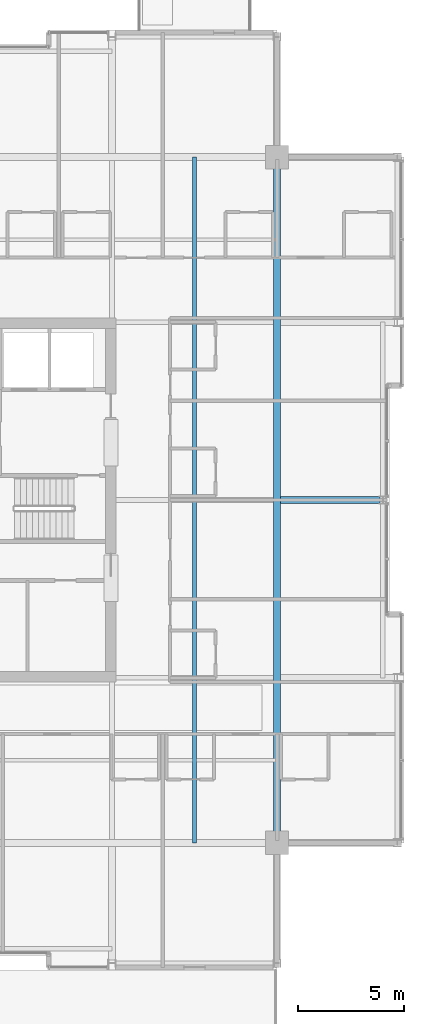
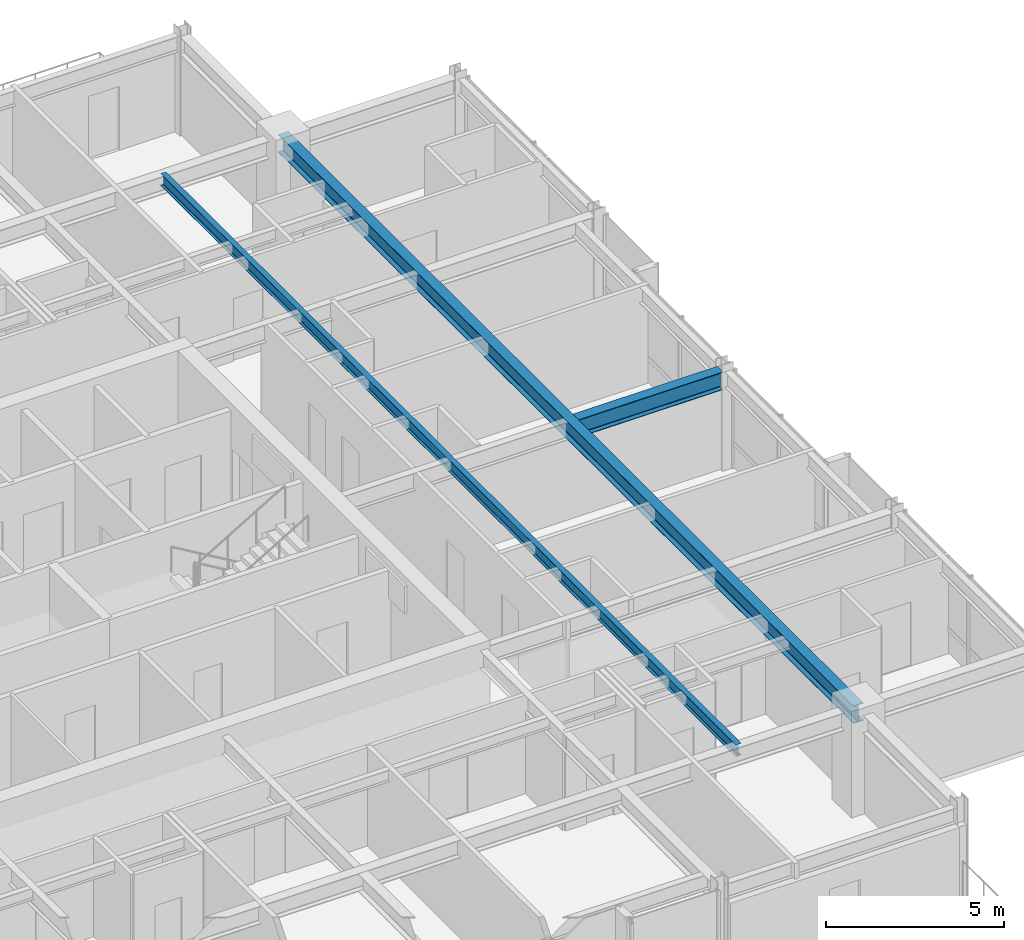
# One storey, part 14 of 32: 3 beams.
"""IFC4 building model written with IfcOpenShell, lengths in metres."""

from ifc_helpers import new_model, si_unit, direction, frame, origin, origin_2d, place, context, subcontext, project, spatial, i_section, extrude, material, material_profile, profile_set, type_object, element, save


model = new_model("IFC4")

# Units and contexts
model_context = context("Model", 3, precision=1e-05, world=origin(), true_north=direction((0.0, 1.0)))
body_context = subcontext(model_context, "Body", "Model", "MODEL_VIEW")
ifc_project = project(units=[si_unit("LENGTHUNIT", "METRE"), si_unit("AREAUNIT", "SQUARE_METRE"), si_unit("VOLUMEUNIT", "CUBIC_METRE"), si_unit("PLANEANGLEUNIT", "RADIAN"), si_unit("MASSUNIT", "GRAM", prefix="KILO")], contexts=[model_context])

# Site, building, storey
site_placement = place(None, origin())
site = spatial("IfcSite", under=ifc_project, at=site_placement, CompositionType="ELEMENT")
building_placement = place(site_placement, origin())
building = spatial("IfcBuilding", under=site, at=building_placement, Name="Drelvath Grand Hotel", CompositionType="ELEMENT")
storey_placement = place(building_placement, frame((0.0, 0.0, 265.0)))
storey = spatial("IfcBuildingStorey", under=building, at=storey_placement, Name="L69", CompositionType="ELEMENT", Elevation=265.0)

# Beams
ifc_material = material(Name="Steel ASTM A992 Gr 50", Category="steel")
ifc_material_profile_1 = material_profile(ifc_material, i_section(OverallWidth=0.177734375, OverallDepth=0.40673828125, WebThickness=0.0078125, FlangeThickness=0.0126953125, FilletRadius=0.014892578125, at=origin_2d()), Name="W16X40")
ifc_profile_set_1 = profile_set([ifc_material_profile_1], Name="Steel ASTM A992 Gr 50")
beam_type_1 = type_object("IfcBeamType", Name="Composite Floor Joist W16X40", PredefinedType="JOIST", material=ifc_profile_set_1)
beam_1_placement = place(storey_placement, frame((12.300048828125, 10.800048828125, 3.1865234375), z_axis=(0.0, 1.0, 0.0), x_axis=(-1.0, 0.0, 0.0)))
element("IfcBeam", 1, at=beam_1_placement, inside=storey, type_object=beam_type_1, Name="L69 Wing Floor Joist J4", PredefinedType="JOIST", context=body_context, shape_type="SweptSolid", body=[
    extrude(i_section(OverallWidth=0.177734375, OverallDepth=0.40673828125, WebThickness=0.0078125, FlangeThickness=0.0126953125, FilletRadius=0.014892578125, at=origin_2d()), origin(), (0.0, 0.0, 1.0), 32.39990234375),
])
ifc_material_profile_2 = material_profile(ifc_material, i_section(OverallWidth=0.323974609375, OverallDepth=0.611083984375, WebThickness=0.0126953125, FlangeThickness=0.01904296875, FilletRadius=0.02197265625, at=origin_2d()), Name="W24X104")
ifc_profile_set_2 = profile_set([ifc_material_profile_2], Name="Steel ASTM A992 Gr 50")
beam_type_2 = type_object("IfcBeamType", Name="Primary Floor Girder W24X104", PredefinedType="BEAM", material=ifc_profile_set_2)
beam_2_placement = place(storey_placement, frame((16.199951171875, 10.800048828125, 3.08447265625), z_axis=(0.0, 1.0, 0.0), x_axis=(-1.0, 0.0, 0.0)))
element("IfcBeam", 2, at=beam_2_placement, inside=storey, type_object=beam_type_2, Name="L69 Mega Ring Girder East", PredefinedType="BEAM", context=body_context, shape_type="SweptSolid", body=[
    extrude(i_section(OverallWidth=0.323974609375, OverallDepth=0.611083984375, WebThickness=0.0126953125, FlangeThickness=0.01904296875, FilletRadius=0.02197265625, at=origin_2d()), origin(), (0.0, 0.0, 1.0), 32.39990234375),
])
beam_3_placement = place(storey_placement, frame((16.362060546875, 27.0, 3.08447265625), z_axis=(1.0, 0.0, 0.0), x_axis=(0.0, 1.0, 0.0)))
element("IfcBeam", 3, at=beam_3_placement, inside=storey, type_object=beam_type_2, Name="L69 East Wing Girder E", PredefinedType="BEAM", context=body_context, shape_type="SweptSolid", body=[
    extrude(i_section(OverallWidth=0.323974609375, OverallDepth=0.611083984375, WebThickness=0.0126953125, FlangeThickness=0.01904296875, FilletRadius=0.02197265625, at=origin_2d()), origin(), (0.0, 0.0, 1.0), 4.697998046875),
])

save(model, "model.ifc")
